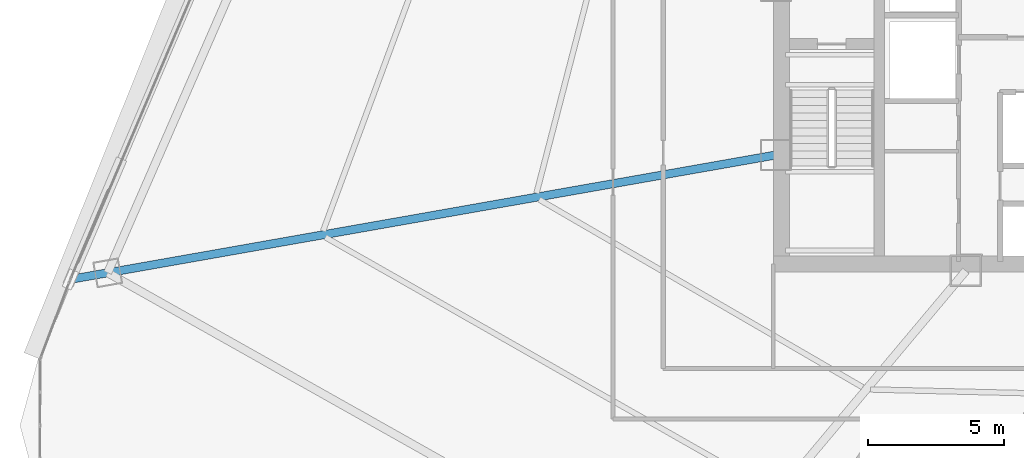
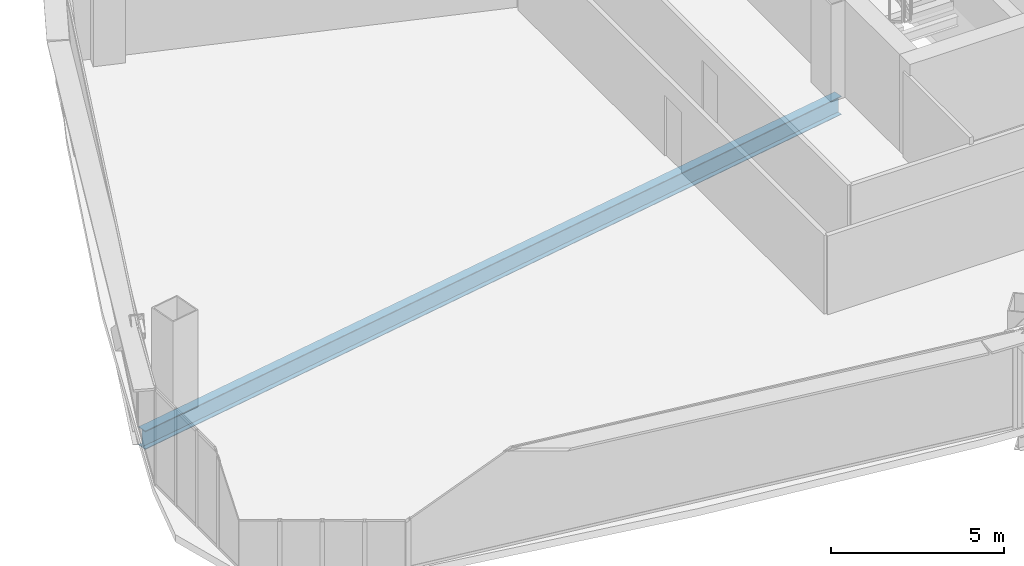
# One storey, part 5 of 41: 1 beam.
"""IFC4 building model written with IfcOpenShell, lengths in metres."""

from ifc_helpers import new_model, si_unit, direction, frame, origin, origin_2d, place, context, subcontext, project, spatial, i_section, extrude, source, transform, mapped, material, material_profile, profile_set, type_object, element, save


model = new_model("IFC4")

# Units and contexts
model_context = context("Model", 3, precision=1e-05, world=origin(), true_north=direction((0.0, 1.0)))
body_context = subcontext(model_context, "Body", "Model", "MODEL_VIEW")
ifc_project = project(units=[si_unit("LENGTHUNIT", "METRE"), si_unit("AREAUNIT", "SQUARE_METRE"), si_unit("VOLUMEUNIT", "CUBIC_METRE"), si_unit("PLANEANGLEUNIT", "RADIAN"), si_unit("MASSUNIT", "GRAM", prefix="KILO"), si_unit("THERMODYNAMICTEMPERATUREUNIT", "KELVIN"), si_unit("POWERUNIT", "WATT")], contexts=[model_context])

# Site, building, storey
site_placement = place(None, origin())
site = spatial("IfcSite", under=ifc_project, at=site_placement, CompositionType="ELEMENT")
building_placement = place(site_placement, origin())
building = spatial("IfcBuilding", under=site, at=building_placement, Name="Yunzhuo Pagoda Commons", CompositionType="ELEMENT")
storey_placement = place(building_placement, frame((0.0, 0.0, 155.590087890625)))
storey = spatial("IfcBuildingStorey", under=building, at=storey_placement, Name="L39", CompositionType="ELEMENT", Elevation=155.590087890625)

# Beam
ifc_material = material(Name="Structural steel Q355B", Category="steel")
ifc_material_profile = material_profile(ifc_material, i_section(OverallWidth=0.300048828125, OverallDepth=0.64990234375, WebThickness=0.012939453125, FlangeThickness=0.02197265625, at=origin_2d()), Name="Structural steel Q355B")
ifc_profile_set = profile_set([ifc_material_profile], Name="Structural steel Q355B")
beam_type = type_object("IfcBeamType", Name="B-RG2 Beam HN 650x300x13x22", PredefinedType="BEAM", material=ifc_profile_set)
shared_shape = source(origin(), body_context, "Body", "SweptSolid", [
    extrude(i_section(OverallWidth=0.300048828125, OverallDepth=0.64990234375, WebThickness=0.012939453125, FlangeThickness=0.02197265625, at=origin_2d()), origin(), (0.0, 0.0, 1.0), 26.2158203125),
])
beam_placement = place(storey_placement, frame((9.782470703125, 26.961181640625, -0.585205078125), z_axis=(0.98480839303, 0.173644547905, 0.0), x_axis=(-0.173644547905, 0.98480839303, 0.0)))
element("IfcBeam", 1, at=beam_placement, inside=storey, type_object=beam_type, Name="L39 radial floor girder F3C4", PredefinedType="BEAM", context=body_context, shape_type="MappedRepresentation", body=[
    mapped(shared_shape, transform((0.0, 0.0, 0.0), scale=1.0)),
])

save(model, "model.ifc")
